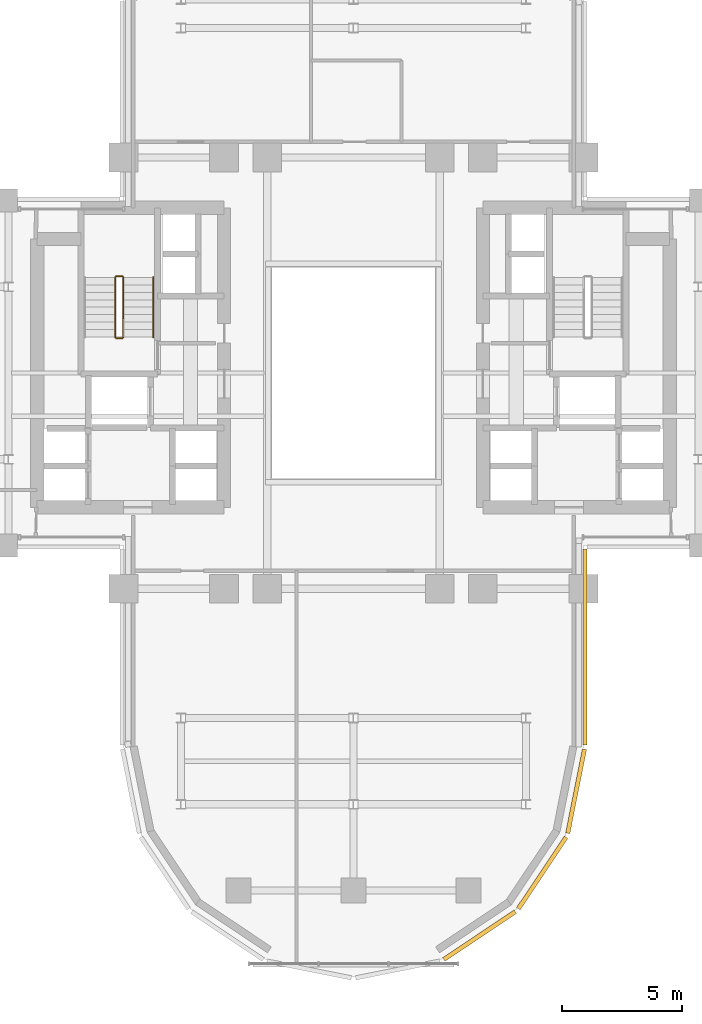
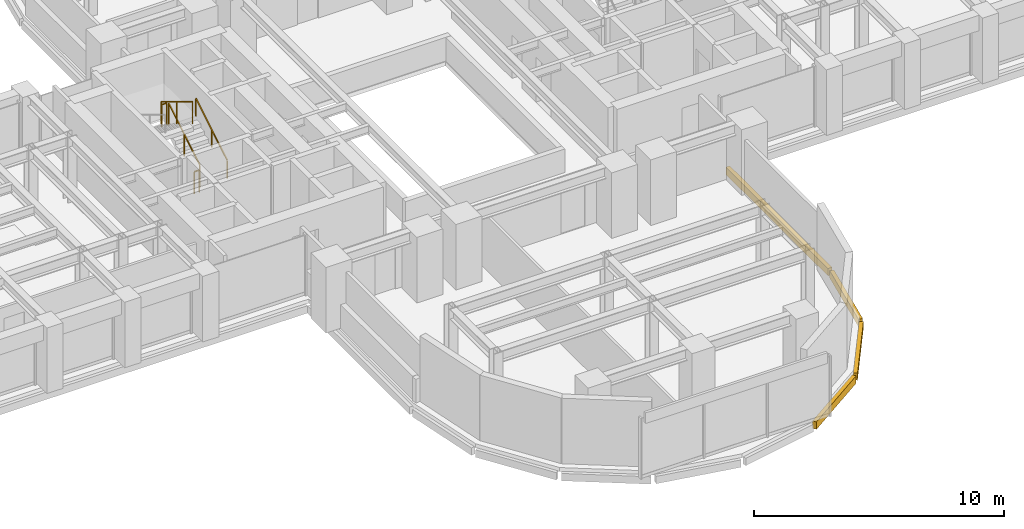
# One storey, part 14 of 16: 5 railings, 4 coverings.
"""IFC4 building model written with IfcOpenShell, lengths in metres."""

from ifc_helpers import new_model, si_unit, direction, frame, origin, origin_2d, place, context, subcontext, project, spatial, rectangle, extrude, source, transform, mapped, material, layer, layer_set, type_object, element, save


model = new_model("IFC4")

# Units and contexts
model_context = context("Model", 3, precision=1e-05, world=origin(), true_north=direction((0.0, 1.0)))
body_context = subcontext(model_context, "Body", "Model", "MODEL_VIEW")
ifc_project = project(units=[si_unit("LENGTHUNIT", "METRE"), si_unit("AREAUNIT", "SQUARE_METRE"), si_unit("VOLUMEUNIT", "CUBIC_METRE"), si_unit("PLANEANGLEUNIT", "RADIAN"), si_unit("MASSUNIT", "GRAM", prefix="KILO")], contexts=[model_context])

# Site, building, storey
site_placement = place(None, origin())
site = spatial("IfcSite", under=ifc_project, at=site_placement, CompositionType="ELEMENT")
building_placement = place(site_placement, origin())
building = spatial("IfcBuilding", under=site, at=building_placement, Name="Keilestroom Media Tower", CompositionType="ELEMENT")
storey_placement = place(building_placement, frame((0.0, 0.0, 30.60009765625)))
storey = spatial("IfcBuildingStorey", under=building, at=storey_placement, Name="L06", CompositionType="ELEMENT", Elevation=30.60009765625)

# Railings
ifc_material_1 = material(Name="Brushed Stainless Steel 1.4301", Category="steel")
railing_type_1 = type_object("IfcRailingType", Name="Stair-Pitch-Handrail-920", PredefinedType="HANDRAIL", material=ifc_material_1)
railing_1_placement = place(storey_placement, frame((-8.35009765625, 1.5, 0.188720703125)))
element("IfcRailing", 1, at=railing_1_placement, inside=storey, type_object=railing_type_1, Name="L06 ST-1 stair handrail 1", PredefinedType="HANDRAIL", context=body_context, shape_type="SweptSolid", body=[
    extrude(rectangle(XDim=0.048095703125, YDim=0.048095703125, at=origin_2d()), frame((0.0, 0.0, 0.8759765625), z_axis=(0.0, 0.855433747314, 0.517912255074), x_axis=(-1.0, 0.0, 0.0)), (0.0, 0.0, 1.0), 2.91796875),
    extrude(rectangle(XDim=0.0419921875, YDim=0.0419921875, at=origin_2d()), origin(), (0.0, 0.0, 1.0), 0.84375),
    extrude(rectangle(XDim=0.0419921875, YDim=0.0419921875, at=origin_2d()), frame((0.0, 1.248046875, 0.755615234375)), (0.0, 0.0, 1.0), 0.84375),
    extrude(rectangle(XDim=0.0419921875, YDim=0.0419921875, at=origin_2d()), frame((0.0, 2.49609375, 1.51123046875)), (0.0, 0.0, 1.0), 0.84375),
])
ifc_material_2 = material(Name="Painted Steel Balustrade", Category="steel")
railing_type_2 = type_object("IfcRailingType", Name="Stair-Well-And-Landing-Guard-1100", PredefinedType="GUARDRAIL", material=ifc_material_2)
railing_2_placement = place(storey_placement, frame((-9.610107421875, 1.5, 0.188720703125)))
element("IfcRailing", 2, at=railing_2_placement, inside=storey, type_object=railing_type_2, Name="L06 ST-1 stair guard 1", PredefinedType="GUARDRAIL", context=body_context, shape_type="SweptSolid", body=[
    extrude(rectangle(XDim=0.048095703125, YDim=0.048095703125, at=origin_2d()), frame((0.0, 0.0, 1.076171875), z_axis=(0.0, 0.855433747314, 0.517912255074), x_axis=(-1.0, 0.0, 0.0)), (0.0, 0.0, 1.0), 2.91796875),
    extrude(rectangle(XDim=0.0419921875, YDim=0.0419921875, at=origin_2d()), origin(), (0.0, 0.0, 1.0), 1.0439453125),
    extrude(rectangle(XDim=0.0419921875, YDim=0.0419921875, at=origin_2d()), frame((0.0, 1.248046875, 0.755615234375)), (0.0, 0.0, 1.0), 1.0439453125),
    extrude(rectangle(XDim=0.0419921875, YDim=0.0419921875, at=origin_2d()), frame((0.0, 2.49609375, 1.51123046875)), (0.0, 0.0, 1.0), 1.0439453125),
])
railing_3_placement = place(storey_placement, frame((-9.659912109375, 4.0458984375, 1.699951171875)))
element("IfcRailing", 3, at=railing_3_placement, inside=storey, type_object=railing_type_2, Name="L06 ST-1 stair guard 2", PredefinedType="GUARDRAIL", context=body_context, shape_type="SweptSolid", body=[
    extrude(rectangle(XDim=0.048095703125, YDim=0.048095703125, at=origin_2d()), frame((0.0, 0.0, 1.076171875), z_axis=(-1.0, 0.0, 0.0), x_axis=(0.0, -1.0, 0.0)), (0.0, 0.0, 1.0), 0.239990234375),
    extrude(rectangle(XDim=0.0419921875, YDim=0.0419921875, at=origin_2d()), origin(), (0.0, 0.0, 1.0), 1.0439453125),
    extrude(rectangle(XDim=0.0419921875, YDim=0.0419921875, at=origin_2d()), frame((-0.239990234375, 0.0, 0.0)), (0.0, 0.0, 1.0), 1.0439453125),
])
railing_4_placement = place(storey_placement, frame((-9.949951171875, 3.99609375, 1.888671875)))
element("IfcRailing", 4, at=railing_4_placement, inside=storey, type_object=railing_type_2, Name="L06 ST-1 stair guard 3", PredefinedType="GUARDRAIL", context=body_context, shape_type="SweptSolid", body=[
    extrude(rectangle(XDim=0.048095703125, YDim=0.048095703125, at=origin_2d()), frame((0.0, 0.0, 1.076171875), z_axis=(0.0, -0.855433747314, 0.517912255074), x_axis=(1.0, 0.0, 0.0)), (0.0, 0.0, 1.0), 2.91796875),
    extrude(rectangle(XDim=0.0419921875, YDim=0.0419921875, at=origin_2d()), origin(), (0.0, 0.0, 1.0), 1.0439453125),
    extrude(rectangle(XDim=0.0419921875, YDim=0.0419921875, at=origin_2d()), frame((0.0, -1.248046875, 0.755615234375)), (0.0, 0.0, 1.0), 1.0439453125),
    extrude(rectangle(XDim=0.0419921875, YDim=0.0419921875, at=origin_2d()), frame((0.0, -2.49609375, 1.51123046875)), (0.0, 0.0, 1.0), 1.0439453125),
])
railing_5_placement = place(storey_placement, frame((-9.659912109375, 1.449951171875, 0.0)))
element("IfcRailing", 5, at=railing_5_placement, inside=storey, type_object=railing_type_2, Name="L06 ST-1 stair guard 4", PredefinedType="GUARDRAIL", context=body_context, shape_type="SweptSolid", body=[
    extrude(rectangle(XDim=0.048095703125, YDim=0.048095703125, at=origin_2d()), frame((0.0, 0.0, 1.076171875), z_axis=(-1.0, 0.0, 0.0), x_axis=(0.0, -1.0, 0.0)), (0.0, 0.0, 1.0), 0.239990234375),
    extrude(rectangle(XDim=0.0419921875, YDim=0.0419921875, at=origin_2d()), origin(), (0.0, 0.0, 1.0), 1.0439453125),
    extrude(rectangle(XDim=0.0419921875, YDim=0.0419921875, at=origin_2d()), frame((-0.239990234375, 0.0, 0.0)), (0.0, 0.0, 1.0), 1.0439453125),
])

# Coverings
ifc_material_3 = material(Name="Precast concrete C40/50", Category="concrete")
ifc_layer = layer(ifc_material_3, 0.1201171875)
ifc_layer_set = layer_set([ifc_layer], Name="Precast concrete C40/50")
covering_type = type_object("IfcCoveringType", Name="Exterior-Precast-Spandrel-Cladding-Panel-120", PredefinedType="CLADDING", material=ifc_layer_set)
shared_shape_1 = source(origin(), body_context, "Body", "SweptSolid", [
    extrude(rectangle(XDim=8.166015625, YDim=0.179931640625, at=origin_2d()), origin(), (0.0, 0.0, 1.0), 0.360107421875),
])
covering_1_placement = place(storey_placement, frame((9.659912109375, -11.43310546875, -0.5400390625), z_axis=(0.0, 0.0, 1.0), x_axis=(0.0, -1.0, 0.0)))
element("IfcCovering", 6, at=covering_1_placement, inside=storey, type_object=covering_type, Name="L06 Precast Slab-Edge Fascia Cornice 06", PredefinedType="CLADDING", context=body_context, shape_type="MappedRepresentation", body=[
    mapped(shared_shape_1, transform((0.0, 0.0, 0.0), x_axis=(1.0, 0.0, 0.0), y_axis=(0.0, 1.0, 0.0), z_axis=(0.0, 0.0, 1.0), scale=1.0)),
])
shared_shape_2 = source(origin(), body_context, "Body", "SweptSolid", [
    extrude(rectangle(XDim=3.58349609375, YDim=0.179931640625, at=origin_2d()), origin(), (0.0, 0.0, 1.0), 0.360107421875),
])
covering_2_placement = place(storey_placement, frame((9.29296875, -17.45166015625, -0.5400390625), z_axis=(0.0, 0.0, 1.0), x_axis=(-0.195098880975, -0.980783577882, 0.0)))
element("IfcCovering", 7, at=covering_2_placement, inside=storey, type_object=covering_type, Name="L06 Precast Slab-Edge Fascia Cornice 07", PredefinedType="CLADDING", context=body_context, shape_type="MappedRepresentation", body=[
    mapped(shared_shape_2, transform((0.0, 0.0, 0.0), x_axis=(1.0, 0.0, 0.0), y_axis=(0.0, 1.0, 0.0), z_axis=(0.0, 0.0, 1.0), scale=1.0)),
])
shared_shape_3 = source(origin(), body_context, "Body", "SweptSolid", [
    extrude(rectangle(XDim=3.589599609375, YDim=0.179931640625, at=origin_2d()), origin(), (0.0, 0.0, 1.0), 0.360107421875),
])
for number, where, z_axis, x_axis, name in (
    (8, (7.878662109375, -20.8642578125, -0.5400390625), (0.0, 0.0, 1.0), (-0.555574586577, -0.831466703332, 0.0), "L06 Precast Slab-Edge Fascia Cornice 08"),
    (9, (5.264404296875, -23.478515625, -0.5400390625), (0.0, 0.0, 1.0), (-0.831466703332, -0.555574586577, 0.0), "L06 Precast Slab-Edge Fascia Cornice 09"),
):
    element("IfcCovering", number, at=place(storey_placement, frame(where, z_axis=z_axis, x_axis=x_axis)), inside=storey, type_object=covering_type, Name=name, PredefinedType="CLADDING", context=body_context, shape_type="MappedRepresentation", body=[
        mapped(shared_shape_3, transform((0.0, 0.0, 0.0), x_axis=(1.0, 0.0, 0.0), y_axis=(0.0, 1.0, 0.0), z_axis=(0.0, 0.0, 1.0), scale=1.0)),
    ])

save(model, "model.ifc")
